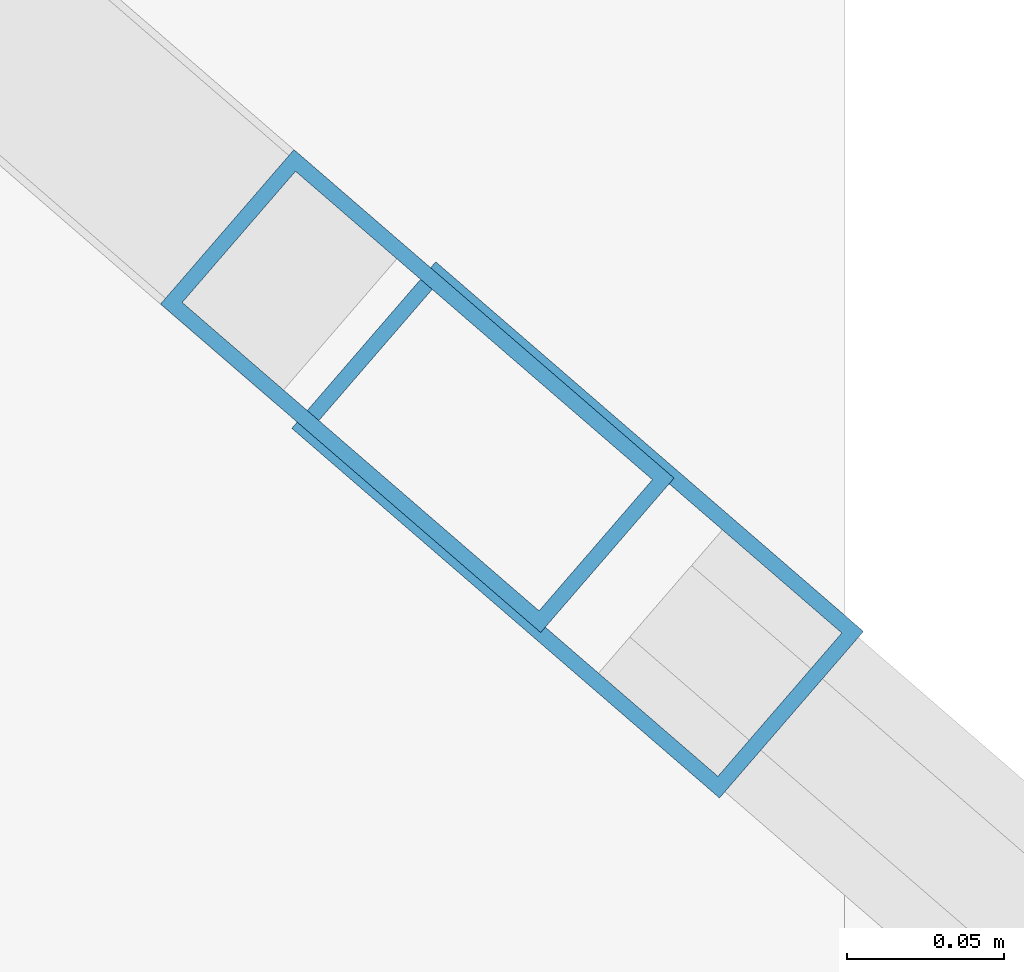
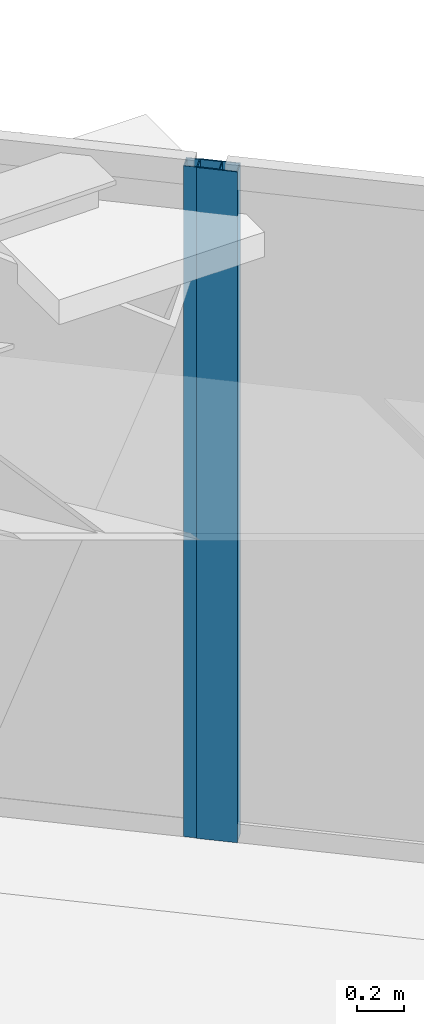
# One storey, part 10 of 23: 2 members, 2 elements without a shape of their own.
"""IFC4 building model written with IfcOpenShell, lengths in metres."""

from ifc_helpers import new_model, si_unit, direction, frame, origin, origin_2d, place, context, subcontext, project, spatial, hollow_rectangle, extrude, material, layer, layer_set, material_profile, profile_set, type_object, element, aggregate, save


model = new_model("IFC4")

# Units and contexts
model_context = context("Model", 3, precision=1e-05, world=origin(), true_north=direction((0.0, 1.0)))
body_context = subcontext(model_context, "Body", "Model", "MODEL_VIEW")
ifc_project = project(units=[si_unit("LENGTHUNIT", "METRE"), si_unit("AREAUNIT", "SQUARE_METRE"), si_unit("VOLUMEUNIT", "CUBIC_METRE"), si_unit("PLANEANGLEUNIT", "RADIAN"), si_unit("MASSUNIT", "GRAM", prefix="KILO")], contexts=[model_context])

# Site, building, storey
site_placement = place(None, origin())
site = spatial("IfcSite", under=ifc_project, at=site_placement, CompositionType="ELEMENT")
building_placement = place(site_placement, origin())
building = spatial("IfcBuilding", under=site, at=building_placement, Name="Qianvela Tower", CompositionType="ELEMENT")
storey_placement = place(building_placement, frame((0.0, 0.0, 74.699951171875)))
storey = spatial("IfcBuildingStorey", under=building, at=storey_placement, Name="L18", CompositionType="ELEMENT", Elevation=74.699951171875)

# Curtain wall, member
ifc_material_1 = material(Name="Anodised Architectural Aluminium and Insulated Spandrel Panel", Category="aluminium")
ifc_layer_1 = layer(ifc_material_1, 0.179931640625)
ifc_layer_set_1 = layer_set([ifc_layer_1], Name="Anodised Architectural Aluminium and Insulated Spandrel Panel")
curtain_wall_type_1 = type_object("IfcCurtainWallType", Name="CW-BRACEBAY", PredefinedType="USERDEFINED", material=ifc_layer_set_1)
curtain_wall_1_placement = place(storey_placement, origin())
curtain_wall_1 = element("IfcCurtainWall", 1, at=curtain_wall_1_placement, inside=storey, type_object=curtain_wall_type_1, Name="L18 CW-BRACEBAY Curtain Wall 02B", ObjectType="CURTAIN_WALL_SYSTEM", PredefinedType="USERDEFINED")
ifc_material_2 = material(Name="Anodised Architectural Aluminium 6063-T6", Category="aluminium")
ifc_material_profile_1 = material_profile(ifc_material_2, hollow_rectangle(XDim=0.06494140625, YDim=0.159912109375, WallThickness=0.0048828125, at=origin_2d()), Name="ALU-MULL-65x160")
ifc_profile_set_1 = profile_set([ifc_material_profile_1], Name="Anodised Architectural Aluminium 6063-T6")
member_type_1 = type_object("IfcMemberType", Name="CW-BRACEBAY-MULL", PredefinedType="MULLION", material=ifc_profile_set_1)
member_1_placement = place(storey_placement, frame((48.422607421875, 33.8544921875, 0.0), z_axis=(0.0, 0.0, 1.0), x_axis=(-0.653854630962, -0.756620196379, 0.0)))
member_1 = element("IfcMember", 2, at=member_1_placement, type_object=member_type_1, Name="CW-9 mullion 1", PredefinedType="MULLION", context=body_context, shape_type="SweptSolid", body=[
    extrude(hollow_rectangle(XDim=0.06494140625, YDim=0.159912109375, WallThickness=0.0048828125, at=origin_2d()), origin(), (0.0, 0.0, 1.0), 3.52001953125),
])
aggregate(curtain_wall_1, [member_1])

ifc_material_3 = material(Name="Anodised Architectural Aluminium and Low-E Glass", Category="aluminium")
ifc_layer_2 = layer(ifc_material_3, 0.179931640625)
ifc_layer_set_2 = layer_set([ifc_layer_2], Name="Anodised Architectural Aluminium and Low-E Glass")
curtain_wall_type_2 = type_object("IfcCurtainWallType", Name="CW-COLIV-Z12", PredefinedType="USERDEFINED", material=ifc_layer_set_2)
curtain_wall_2_placement = place(storey_placement, origin())
curtain_wall_2 = element("IfcCurtainWall", 3, at=curtain_wall_2_placement, inside=storey, type_object=curtain_wall_type_2, Name="L18 CW-COLIV-Z12 Curtain Wall 02A", ObjectType="CURTAIN_WALL_SYSTEM", PredefinedType="USERDEFINED")
ifc_material_4 = material(Name="Anodised Architectural Aluminium 6063-T6", Category="aluminium")
ifc_material_profile_2 = material_profile(ifc_material_4, hollow_rectangle(XDim=0.070068359375, YDim=0.179931640625, WallThickness=0.0048828125, at=origin_2d()), Name="ALU-MULL-70x180")
ifc_profile_set_2 = profile_set([ifc_material_profile_2], Name="Anodised Architectural Aluminium 6063-T6")
member_type_2 = type_object("IfcMemberType", Name="CW-COLIV-Z12-MULL", PredefinedType="MULLION", material=ifc_profile_set_2)
member_2_placement = place(storey_placement, frame((48.4736328125, 33.810302734375, 0.0), z_axis=(0.0, 0.0, 1.0), x_axis=(-0.65385201426, -0.756622457669, 0.0)))
member_2 = element("IfcMember", 4, at=member_2_placement, type_object=member_type_2, Name="CW-3 mullion 3", PredefinedType="MULLION", context=body_context, shape_type="SweptSolid", body=[
    extrude(hollow_rectangle(XDim=0.070068359375, YDim=0.179931640625, WallThickness=0.0048828125, at=origin_2d()), origin(), (0.0, 0.0, 1.0), 3.52001953125),
])
aggregate(curtain_wall_2, [member_2])

save(model, "model.ifc")
